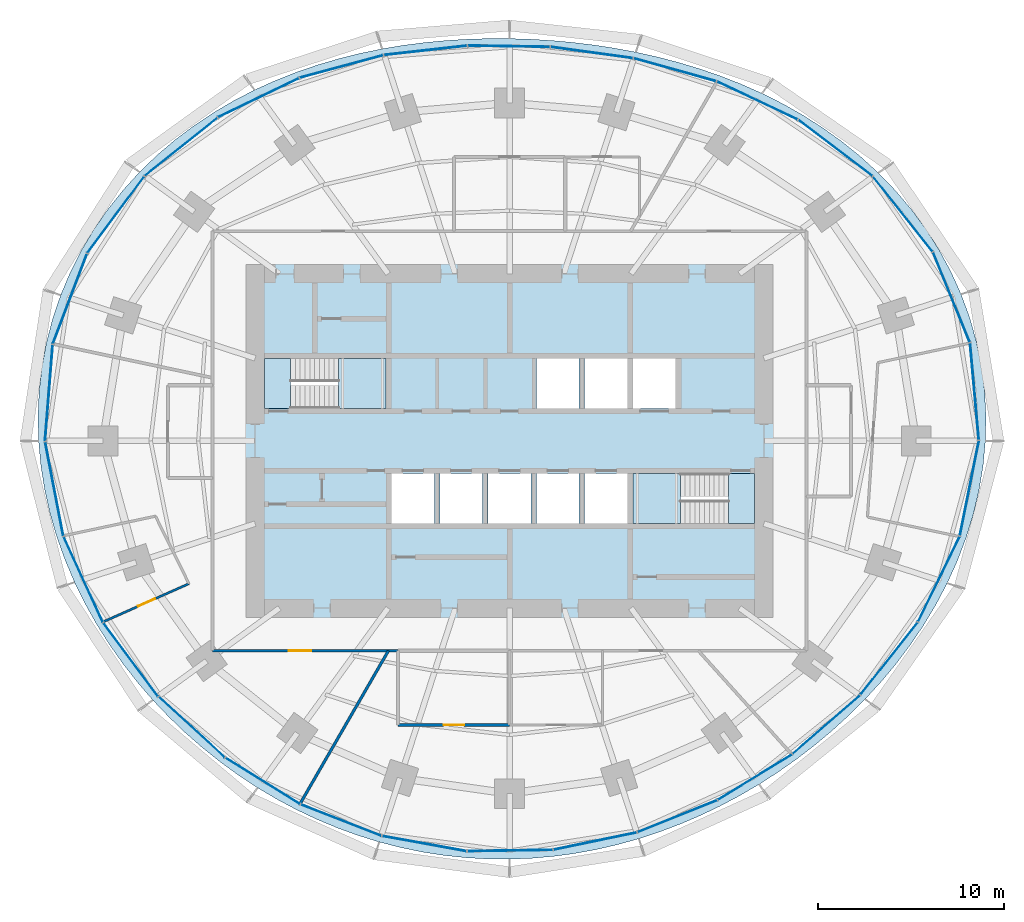
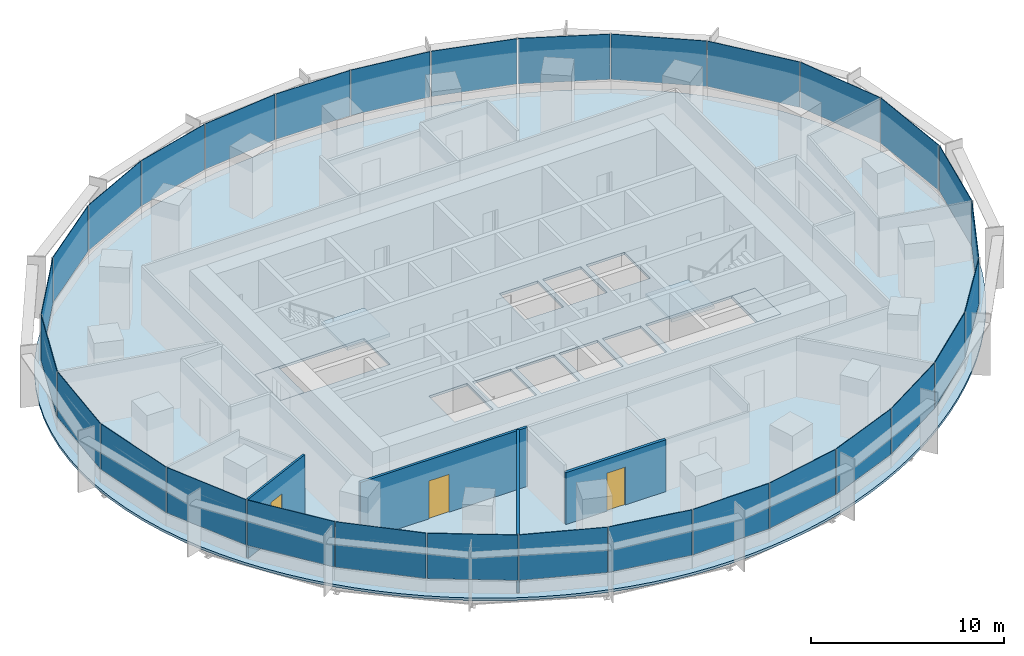
# One storey, part 9 of 14: 30 plates, 5 slabs, 4 walls, 3 doors, 3 openings, 8 elements without a shape of their own.
"""IFC4 building model written with IfcOpenShell, lengths in metres."""

import ifcopenshell
import ifcopenshell.guid

model = None  # the IFC model being written
_history = None  # IfcOwnerHistory: only IFC2X3 demands one
_inside = {}  # id of a spatial element -> (the spatial element, [elements in it])
_under = {}  # id of a project, library or spatial element -> (it, [spatial elements below it])
_declared = {}  # id of a project -> (the project, [libraries it declares])
_typed = {}  # id of a type object -> (the type object, [elements of that type])
_made_of = {}  # id of a material, layer set ... -> (it, [elements and type objects made of it])


def new_model(schema):
    """Start an empty IFC model of exactly this schema.

    Asked for "IFC4X3", IfcOpenShell would pick the latest addendum, in which some entities
    have other attributes; the version numbers below select the first issue.
    IFC2X3 requires an IfcOwnerHistory on every rooted entity: one is made here for all.
    """
    global model, _history
    if schema == "IFC4X3":
        model = ifcopenshell.file(schema_version=(4, 3, 0, 0))
    else:
        model = ifcopenshell.file(schema=schema)
    _inside.clear()
    _under.clear()
    _declared.clear()
    _typed.clear()
    _made_of.clear()
    _history = None
    if model.schema == "IFC2X3":
        org = make("IfcOrganization", Name="unknown")
        user = make(
            "IfcPersonAndOrganization",
            ThePerson=make("IfcPerson", FamilyName="unknown"),
            TheOrganization=org,
        )
        app = make(
            "IfcApplication",
            ApplicationDeveloper=org,
            Version="unknown",
            ApplicationFullName="unknown",
            ApplicationIdentifier="unknown",
        )
        _history = make(
            "IfcOwnerHistory",
            OwningUser=user,
            OwningApplication=app,
            ChangeAction="ADDED",
            CreationDate=0,
        )
    return model


def make(cls, **values):
    """One entity of the class cls with the attributes given. An attribute that is None is left unset."""
    return model.create_entity(
        cls, **{name: value for name, value in values.items() if value is not None}
    )


def rooted(cls, **values):
    """An entity with a GlobalId (a new one), such as an element, a storey or a relation."""
    return make(cls, GlobalId=ifcopenshell.guid.new(), OwnerHistory=_history, **values)


def si_unit(unit_type, name, prefix=None):
    """IfcSIUnit, for example si_unit("LENGTHUNIT", "METRE", prefix="MILLI")."""
    return make("IfcSIUnit", UnitType=unit_type, Prefix=prefix, Name=name)


def assignment(units):
    """IfcUnitAssignment: the units of a project."""
    return None if units is None else make("IfcUnitAssignment", Units=units)


def point(xyz):
    """IfcCartesianPoint."""
    return None if xyz is None else make("IfcCartesianPoint", Coordinates=xyz)


def direction(xyz):
    """IfcDirection."""
    return None if xyz is None else make("IfcDirection", DirectionRatios=xyz)


def frame(location, z_axis=None, x_axis=None):
    """IfcAxis2Placement3D, a coordinate frame: its origin and axes. An axis left out is left unset."""
    return make(
        "IfcAxis2Placement3D",
        Location=point(location),
        Axis=direction(z_axis),
        RefDirection=direction(x_axis),
    )


def frame_2d(location, x_axis=None):
    """IfcAxis2Placement2D, a coordinate frame in the plane: its origin and x axis."""
    return make(
        "IfcAxis2Placement2D", Location=point(location), RefDirection=direction(x_axis)
    )


def origin():
    """The frame at (0, 0, 0) with its axes left unset."""
    return frame((0.0, 0.0, 0.0))


def origin_2d():
    """The frame at (0, 0) in the plane with its x axis left unset."""
    return frame_2d((0.0, 0.0))


def place(relative_to, where):
    """IfcLocalPlacement: puts the frame where relative to a parent placement (None: the world)."""
    return make(
        "IfcLocalPlacement", PlacementRelTo=relative_to, RelativePlacement=where
    )


def context(
    kind, dimensions, precision=None, world=None, true_north=None, identifier=None
):
    """IfcGeometricRepresentationContext, for example the 3D "Model" context."""
    return make(
        "IfcGeometricRepresentationContext",
        ContextIdentifier=identifier,
        ContextType=kind,
        CoordinateSpaceDimension=dimensions,
        Precision=precision,
        WorldCoordinateSystem=world,
        TrueNorth=true_north,
    )


def subcontext(parent, identifier, kind, view, scale=None):
    """IfcGeometricRepresentationSubContext, for example "Body" below "Model"."""
    return make(
        "IfcGeometricRepresentationSubContext",
        ContextIdentifier=identifier,
        ContextType=kind,
        ParentContext=parent,
        TargetScale=scale,
        TargetView=view,
    )


def project(units=None, contexts=None):
    """IfcProject with its units and contexts."""
    return rooted(
        "IfcProject",
        Name="project",
        RepresentationContexts=contexts,
        UnitsInContext=assignment(units),
    )


def spatial(cls, under=None, at=None, **own):
    """A site, building, storey or space (cls), placed at a placement, below another one or the project."""
    s = rooted(cls, ObjectPlacement=at, **own)
    if under is not None:
        _under.setdefault(under.id(), (under, []))[1].append(s)
    return s


def polyline(points):
    """IfcPolyline through the points."""
    return make("IfcPolyline", Points=[point(p) for p in points])


def profile(cls, at=None, kind="AREA", **sizes):
    """A parametric profile (cls). Its sizes go by their IFC names, for example OverallWidth=200.0."""
    return make(cls, ProfileType=kind, Position=at, **sizes)


def rectangle(**sizes):
    """IfcRectangleProfileDef."""
    return profile("IfcRectangleProfileDef", **sizes)


def outline(outer, holes=None, kind="AREA"):
    """IfcArbitraryClosedProfileDef: a profile drawn as a closed curve; with holes, ...WithVoids."""
    if holes is None:
        return make("IfcArbitraryClosedProfileDef", ProfileType=kind, OuterCurve=outer)
    return make(
        "IfcArbitraryProfileDefWithVoids",
        ProfileType=kind,
        OuterCurve=outer,
        InnerCurves=holes,
    )


def extrude(swept, where, along, depth):
    """IfcExtrudedAreaSolid: the profile swept, set in the frame where, extruded along a direction by depth."""
    return make(
        "IfcExtrudedAreaSolid",
        SweptArea=swept,
        Position=where,
        ExtrudedDirection=direction(along),
        Depth=depth,
    )


def shape(context_of_items, identifier, shape_type, items):
    """IfcShapeRepresentation: the items that make up one representation, for example the "Body"."""
    return make(
        "IfcShapeRepresentation",
        ContextOfItems=context_of_items,
        RepresentationIdentifier=identifier,
        RepresentationType=shape_type,
        Items=items,
    )


def material(Name=None, Category=None):
    """IfcMaterial."""
    return make("IfcMaterial", Name=Name, Category=Category)


def layer(
    of_material, thickness, ventilated=None, Name=None, Category=None, Priority=None
):
    """IfcMaterialLayer: one layer of a wall or slab, of a material (None: an air gap)."""
    return make(
        "IfcMaterialLayer",
        Material=of_material,
        LayerThickness=thickness,
        IsVentilated=ventilated,
        Name=Name,
        Category=Category,
        Priority=Priority,
    )


def layer_set(layers, Name=None):
    """IfcMaterialLayerSet."""
    return make("IfcMaterialLayerSet", MaterialLayers=layers, LayerSetName=Name)


def made_of(thing, what):
    """Note that an element or type object is made of a material, layer set ...; save() writes the relation."""
    if what is not None:
        _made_of.setdefault(what.id(), (what, []))[1].append(thing)
    return thing


def type_object(cls, material=None, **own):
    """A type object (cls), such as IfcWallType, which elements share."""
    return made_of(rooted(cls, **own), material)


def element(
    cls,
    number,
    at=None,
    inside=None,
    cuts=None,
    type_object=None,
    material=None,
    context=None,
    identifier="Body",
    shape_type=None,
    held_by="IfcProductDefinitionShape",
    body=None,
    shapes=None,
    **own,
):
    """One element of the class cls, such as IfcWall. Its Tag is "e" and its number.

    at: its placement. inside: the storey or other place that contains it. cuts: it is an
    opening in that element (IfcRelVoidsElement). A single representation is given by context,
    identifier, shape_type and body (its items); several are given by shapes. held_by: the class
    of the entity that holds the representations. save() writes the other relations.
    """
    e = rooted(cls, Tag="e%d" % number, ObjectPlacement=at, **own)
    if body is not None:
        shapes = [shape(context, identifier, shape_type, body)]
    if shapes is not None:
        e.Representation = make(held_by, Representations=shapes)
    if inside is not None:
        _inside.setdefault(inside.id(), (inside, []))[1].append(e)
    if cuts is not None:
        rooted(
            "IfcRelVoidsElement", RelatingBuildingElement=cuts, RelatedOpeningElement=e
        )
    if type_object is not None:
        _typed.setdefault(type_object.id(), (type_object, []))[1].append(e)
    return made_of(e, material)


def fill(opening, filler):
    """IfcRelFillsElement: the door or window that sits in an opening."""
    return rooted(
        "IfcRelFillsElement",
        RelatingOpeningElement=opening,
        RelatedBuildingElement=filler,
    )


def aggregate(whole, parts):
    """IfcRelAggregates: a whole, such as a stair, and the parts it consists of."""
    return rooted("IfcRelAggregates", RelatingObject=whole, RelatedObjects=parts)


def save(model, path):
    """Write the relations noted so far, then the file.

    IfcRelAggregates (storeys below a building ...), IfcRelContainedInSpatialStructure (elements
    in a storey), IfcRelDefinesByType, IfcRelAssociatesMaterial and IfcRelDeclares: one each for
    every whole, place, type object, material and project.
    """
    for whole, parts in _under.values():
        aggregate(whole, parts)
    for where, things in _inside.values():
        rooted(
            "IfcRelContainedInSpatialStructure",
            RelatedElements=things,
            RelatingStructure=where,
        )
    for kind, things in _typed.values():
        rooted("IfcRelDefinesByType", RelatedObjects=things, RelatingType=kind)
    for what, things in _made_of.values():
        rooted("IfcRelAssociatesMaterial", RelatedObjects=things, RelatingMaterial=what)
    for by, libraries in _declared.values():
        rooted("IfcRelDeclares", RelatingContext=by, RelatedDefinitions=libraries)
    model.write(path)


model = new_model("IFC4")

# Units and contexts
model_context = context("Model", 3, precision=1e-05, world=origin(), true_north=direction((0.0, 1.0)))
body_context = subcontext(model_context, "Body", "Model", "MODEL_VIEW")
ifc_project = project(units=[si_unit("LENGTHUNIT", "METRE"), si_unit("AREAUNIT", "SQUARE_METRE"), si_unit("VOLUMEUNIT", "CUBIC_METRE"), si_unit("PLANEANGLEUNIT", "RADIAN"), si_unit("MASSUNIT", "GRAM", prefix="KILO")], contexts=[model_context])

# Site, building, storey
site_placement = place(None, origin())
site = spatial("IfcSite", under=ifc_project, at=site_placement, CompositionType="ELEMENT")
building_placement = place(site_placement, origin())
building = spatial("IfcBuilding", under=site, at=building_placement, Name="Marramba Exchange Tower", CompositionType="ELEMENT")
storey_placement = place(building_placement, frame((0.0, 0.0, 123.60009765625)))
storey = spatial("IfcBuildingStorey", under=building, at=storey_placement, Name="L29", CompositionType="ELEMENT", Elevation=123.60009765625)

# Slab
ifc_material_1 = material(Name="Concrete N40", Category="concrete")
ifc_layer_1 = layer(ifc_material_1, 0.159912109375)
ifc_layer_set_1 = layer_set([ifc_layer_1], Name="Composite floor slab 160")
slab_type_1 = type_object("IfcSlabType", Name="Composite floor slab 160", PredefinedType="FLOOR", material=ifc_layer_set_1)
slab_1_placement = place(storey_placement, frame((0.0, 0.0, -0.16015625)))
element("IfcSlab", 1, at=slab_1_placement, inside=storey, type_object=slab_type_1, Name="Floor slab L29", PredefinedType="FLOOR", context=body_context, shape_type="SweptSolid", body=[
    extrude(outline(polyline([(25.632080078125, 0.0), (25.66064453125, 1.3447265625), (25.59033203125, 2.689697265625), (25.420166015625, 4.026123046875), (25.15087890625, 5.345947265625), (24.7841796875, 6.640869140625), (24.322998046875, 7.903076171875), (23.771484375, 9.125), (23.135009765625, 10.30029296875), (22.419677734375, 11.42333984375), (21.632080078125, 12.4892578125), (20.779541015625, 13.494384765625), (19.869384765625, 14.43603515625), (18.9091796875, 15.3125), (17.90625, 16.122802734375), (16.86767578125, 16.86767578125), (15.800048828125, 17.5478515625), (14.70947265625, 18.164794921875), (13.6015625, 18.720947265625), (12.48095703125, 19.218994140625), (11.3515625, 19.66162109375), (10.217041015625, 20.05224609375), (9.079833984375, 20.393798828125), (7.94189453125, 20.689453125), (6.804443359375, 20.942138671875), (5.668212890625, 21.154296875), (4.533447265625, 21.328369140625), (3.39990234375, 21.46630859375), (2.26708984375, 21.5693359375), (1.134033203125, 21.63818359375), (0.0, 21.673095703125), (-1.135986328125, 21.673828125), (-2.2744140625, 21.6396484375), (-3.416259765625, 21.5693359375), (-4.5615234375, 21.460693359375), (-5.71044921875, 21.31201171875), (-6.8623046875, 21.1201171875), (-8.01611328125, 20.8828125), (-9.170166015625, 20.5966796875), (-10.322509765625, 20.2587890625), (-11.4697265625, 19.8662109375), (-12.60888671875, 19.415771484375), (-13.7353515625, 18.905029296875), (-14.8447265625, 18.331787109375), (-15.931640625, 17.69384765625), (-16.989990234375, 16.989990234375), (-18.013916015625, 16.2197265625), (-18.996826171875, 15.38330078125), (-19.931884765625, 14.4814453125), (-20.8125, 13.515869140625), (-21.632080078125, 12.4892578125), (-22.384033203125, 11.4052734375), (-23.0625, 10.26806640625), (-23.661865234375, 9.0830078125), (-24.177734375, 7.855712890625), (-24.605712890625, 6.593017578125), (-24.943603515625, 5.302001953125), (-25.18896484375, 3.989501953125), (-25.341064453125, 2.663330078125), (-25.400390625, 1.3310546875), (-25.367919921875, 0.0), (-25.246337890625, -1.322998046875), (-25.038818359375, -2.631591796875), (-24.748779296875, -3.919921875), (-24.381103515625, -5.182373046875), (-23.940185546875, -6.414794921875), (-23.431396484375, -7.61328125), (-22.859130859375, -8.77490234375), (-22.22900390625, -9.89697265625), (-21.545166015625, -10.977783203125), (-20.81201171875, -12.015869140625), (-20.033935546875, -13.010009765625), (-19.2138671875, -13.959716796875), (-18.35546875, -14.86376953125), (-17.461181640625, -15.72216796875), (-16.53369140625, -16.53369140625), (-15.5751953125, -17.298095703125), (-14.587646484375, -18.014404296875), (-13.5732421875, -18.681884765625), (-12.533203125, -19.299560546875), (-11.4697265625, -19.8662109375), (-10.384765625, -20.381103515625), (-9.27978515625, -20.8427734375), (-8.157470703125, -21.250732421875), (-7.019287109375, -21.603271484375), (-5.8681640625, -21.900146484375), (-4.7060546875, -22.14013671875), (-3.53564453125, -22.322998046875), (-2.359375, -22.448486328125), (-1.179931640625, -22.516357421875), (0.0, -22.52685546875), (1.17822265625, -22.480712890625), (2.35205078125, -22.3779296875), (3.519287109375, -22.22021484375), (4.677978515625, -22.0078125), (5.825927734375, -21.742431640625), (6.96142578125, -21.425048828125), (8.0830078125, -21.05712890625), (9.189453125, -20.639892578125), (10.279296875, -20.17431640625), (11.3515625, -19.66162109375), (12.4052734375, -19.1025390625), (13.439453125, -18.497802734375), (14.45263671875, -17.847412109375), (15.44384765625, -17.152099609375), (16.411376953125, -16.411376953125), (17.353515625, -15.625244140625), (18.267822265625, -14.79296875), (19.1513671875, -13.914306640625), (20.000732421875, -12.98876953125), (20.81201171875, -12.015869140625), (21.580810546875, -10.995849609375), (22.301513671875, -9.92919921875), (22.96875, -8.81689453125), (23.57666015625, -7.660400390625), (24.11865234375, -6.462646484375), (24.588623046875, -5.2265625), (24.980224609375, -3.95654296875), (25.2880859375, -2.657958984375), (25.5068359375, -1.336669921875), (25.632080078125, 0.0)]), holes=[polyline([(1.449951171875, 1.75), (3.75, 1.75), (3.75, 4.449951171875), (1.449951171875, 4.449951171875), (1.449951171875, 1.75)]), polyline([(4.050048828125, 1.75), (6.35009765625, 1.75), (6.35009765625, 4.449951171875), (4.050048828125, 4.449951171875), (4.050048828125, 1.75)]), polyline([(-6.35009765625, -4.449951171875), (-4.050048828125, -4.449951171875), (-4.050048828125, -1.75), (-6.35009765625, -1.75), (-6.35009765625, -4.449951171875)]), polyline([(-3.75, -4.449951171875), (-1.449951171875, -4.449951171875), (-1.449951171875, -1.75), (-3.75, -1.75), (-3.75, -4.449951171875)]), polyline([(-1.14990234375, -4.449951171875), (1.14990234375, -4.449951171875), (1.14990234375, -1.75), (-1.14990234375, -1.75), (-1.14990234375, -4.449951171875)]), polyline([(1.449951171875, -4.449951171875), (3.75, -4.449951171875), (3.75, -1.75), (1.449951171875, -1.75), (1.449951171875, -4.449951171875)]), polyline([(4.050048828125, -4.449951171875), (6.35009765625, -4.449951171875), (6.35009765625, -1.75), (4.050048828125, -1.75), (4.050048828125, -4.449951171875)]), polyline([(6.64990234375, 1.75), (8.949951171875, 1.75), (8.949951171875, 4.449951171875), (6.64990234375, 4.449951171875), (6.64990234375, 1.75)]), polyline([(-13.199951171875, 1.75), (-6.64990234375, 1.75), (-6.64990234375, 4.449951171875), (-13.199951171875, 4.449951171875), (-13.199951171875, 1.75)]), polyline([(6.64990234375, -4.449951171875), (13.199951171875, -4.449951171875), (13.199951171875, -1.75), (6.64990234375, -1.75), (6.64990234375, -4.449951171875)])]), origin(), (0.0, 0.0, 1.0), 0.16015625),
])

# Curtain wall, plates
ifc_material_2 = material(Name="Aluminium framing, bronze anodised", Category="aluminium")
curtain_wall_type = type_object("IfcCurtainWallType", Name="Office ribbon curtain wall", PredefinedType="USERDEFINED", material=ifc_material_2)
curtain_wall_1_placement = place(storey_placement, origin())
curtain_wall_1 = element("IfcCurtainWall", 2, at=curtain_wall_1_placement, inside=storey, type_object=curtain_wall_type, Name="Curtain wall CW4 L29 F01-F05", ObjectType="RIBBON CURTAIN WALL", PredefinedType="USERDEFINED")
ifc_material_3 = material(Name="Laminated double glazed unit 10.76 + 16 + 10.76, bronze tinted", Category="glass")
ifc_layer_2 = layer(ifc_material_3, 0.03759765625)
ifc_layer_set_2 = layer_set([ifc_layer_2], Name="Office ribbon curtain wall panel")
plate_type = type_object("IfcPlateType", Name="Office ribbon curtain wall panel", PredefinedType="CURTAIN_PANEL", material=ifc_layer_set_2)
plate_1_placement = place(storey_placement, frame((25.042724609375, 2.66650390625, 0.85986328125), z_axis=(0.0, 0.0, 1.0), x_axis=(-0.089412887889, 0.995994646311, 0.0)))
plate_1 = element("IfcPlate", 3, at=plate_1_placement, type_object=plate_type, Name="CW4 vision panel", PredefinedType="CURTAIN_PANEL", context=body_context, shape_type="SweptSolid", body=[
    extrude(rectangle(XDim=5.234375, YDim=0.03759765625, at=origin_2d()), origin(), (0.0, 0.0, 1.0), 2.8798828125),
])
plate_2_placement = place(storey_placement, frame((23.800537109375, 7.743408203125, 0.85986328125), z_axis=(0.0, 0.0, 1.0), x_axis=(-0.377821183171, 0.925878584668, 0.0)))
plate_2 = element("IfcPlate", 4, at=plate_2_placement, type_object=plate_type, Name="CW4 vision panel", PredefinedType="CURTAIN_PANEL", context=body_context, shape_type="SweptSolid", body=[
    extrude(rectangle(XDim=5.2158203125, YDim=0.03759765625, at=origin_2d()), origin(), (0.0, 0.0, 1.0), 2.8798828125),
])
plate_3_placement = place(storey_placement, frame((21.18212890625, 12.217529296875, 0.85986328125), z_axis=(0.0, 0.0, 1.0), x_axis=(-0.621312004611, 0.783563266703, 0.0)))
plate_3 = element("IfcPlate", 5, at=plate_3_placement, type_object=plate_type, Name="CW4 vision panel", PredefinedType="CURTAIN_PANEL", context=body_context, shape_type="SweptSolid", body=[
    extrude(rectangle(XDim=5.136962890625, YDim=0.03759765625, at=origin_2d()), origin(), (0.0, 0.0, 1.0), 2.8798828125),
])
plate_4_placement = place(storey_placement, frame((17.55224609375, 15.777099609375, 0.85986328125), z_axis=(0.0, 0.0, 1.0), x_axis=(-0.795971748366, 0.60533377223, 0.0)))
plate_4 = element("IfcPlate", 6, at=plate_4_placement, type_object=plate_type, Name="CW4 vision panel", PredefinedType="CURTAIN_PANEL", context=body_context, shape_type="SweptSolid", body=[
    extrude(rectangle(XDim=4.990966796875, YDim=0.03759765625, at=origin_2d()), origin(), (0.0, 0.0, 1.0), 2.8798828125),
])
plate_5_placement = place(storey_placement, frame((13.34423828125, 18.3359375, 0.85986328125), z_axis=(0.0, 0.0, 1.0), x_axis=(-0.904403137485, 0.426678995157, 0.0)))
plate_5 = element("IfcPlate", 7, at=plate_5_placement, type_object=plate_type, Name="CW4 vision panel", PredefinedType="CURTAIN_PANEL", context=body_context, shape_type="SweptSolid", body=[
    extrude(rectangle(XDim=4.793212890625, YDim=0.03759765625, at=origin_2d()), origin(), (0.0, 0.0, 1.0), 2.8798828125),
])
aggregate(curtain_wall_1, [plate_1, plate_2, plate_3, plate_4, plate_5])

curtain_wall_2_placement = place(storey_placement, origin())
curtain_wall_2 = element("IfcCurtainWall", 8, at=curtain_wall_2_placement, inside=storey, type_object=curtain_wall_type, Name="Curtain wall CW4 L29 F06-F10", ObjectType="RIBBON CURTAIN WALL", PredefinedType="USERDEFINED")
plate_6_placement = place(storey_placement, frame((8.907470703125, 19.991943359375, 0.85986328125), z_axis=(0.0, 0.0, 1.0), x_axis=(-0.963177845956, 0.268865090816, 0.0)))
plate_6 = element("IfcPlate", 9, at=plate_6_placement, type_object=plate_type, Name="CW4 vision panel", PredefinedType="CURTAIN_PANEL", context=body_context, shape_type="SweptSolid", body=[
    extrude(rectangle(XDim=4.591552734375, YDim=0.03759765625, at=origin_2d()), origin(), (0.0, 0.0, 1.0), 2.8798828125),
])
plate_7_placement = place(storey_placement, frame((4.43359375, 20.919189453125, 0.85986328125), z_axis=(0.0, 0.0, 1.0), x_axis=(-0.990738212841, 0.135785837319, 0.0)))
plate_7 = element("IfcPlate", 10, at=plate_7_placement, type_object=plate_type, Name="CW4 vision panel", PredefinedType="CURTAIN_PANEL", context=body_context, shape_type="SweptSolid", body=[
    extrude(rectangle(XDim=4.447509765625, YDim=0.03759765625, at=origin_2d()), origin(), (0.0, 0.0, 1.0), 2.8798828125),
])
plate_8_placement = place(storey_placement, frame((-0.03369140625, 21.2568359375, 0.85986328125), z_axis=(0.0, 0.0, 1.0), x_axis=(-0.999875869968, 0.01575578169, 0.0)))
plate_8 = element("IfcPlate", 11, at=plate_8_placement, type_object=plate_type, Name="CW4 vision panel", PredefinedType="CURTAIN_PANEL", context=body_context, shape_type="SweptSolid", body=[
    extrude(rectangle(XDim=4.408935546875, YDim=0.03759765625, at=origin_2d()), origin(), (0.0, 0.0, 1.0), 2.8798828125),
])
plate_9_placement = place(storey_placement, frame((-4.52587890625, 21.0361328125, 0.85986328125), z_axis=(0.0, 0.0, 1.0), x_axis=(-0.993823395532, -0.110973233233, 0.0)))
plate_9 = element("IfcPlate", 12, at=plate_9_placement, type_object=plate_type, Name="CW4 vision panel", PredefinedType="CURTAIN_PANEL", context=body_context, shape_type="SweptSolid", body=[
    extrude(rectangle(XDim=4.484375, YDim=0.03759765625, at=origin_2d()), origin(), (0.0, 0.0, 1.0), 2.8798828125),
])
plate_10_placement = place(storey_placement, frame((-9.053466796875, 20.16748046875, 0.85986328125), z_axis=(0.0, 0.0, 1.0), x_axis=(-0.965522047176, -0.260321294588, 0.0)))
plate_10 = element("IfcPlate", 13, at=plate_10_placement, type_object=plate_type, Name="CW4 vision panel", PredefinedType="CURTAIN_PANEL", context=body_context, shape_type="SweptSolid", body=[
    extrude(rectangle(XDim=4.642578125, YDim=0.03759765625, at=origin_2d()), origin(), (0.0, 0.0, 1.0), 2.8798828125),
])
aggregate(curtain_wall_2, [plate_6, plate_7, plate_8, plate_9, plate_10])

curtain_wall_3_placement = place(storey_placement, origin())
curtain_wall_3 = element("IfcCurtainWall", 14, at=curtain_wall_3_placement, inside=storey, type_object=curtain_wall_type, Name="Curtain wall CW4 L29 F11-F15", ObjectType="RIBBON CURTAIN WALL", PredefinedType="USERDEFINED")
plate_11_placement = place(storey_placement, frame((-13.52294921875, 18.4853515625, 0.85986328125), z_axis=(0.0, 0.0, 1.0), x_axis=(-0.900223739881, -0.435427626771, 0.0)))
plate_11 = element("IfcPlate", 15, at=plate_11_placement, type_object=plate_type, Name="CW4 vision panel", PredefinedType="CURTAIN_PANEL", context=body_context, shape_type="SweptSolid", body=[
    extrude(rectangle(XDim=4.83056640625, YDim=0.03759765625, at=origin_2d()), origin(), (0.0, 0.0, 1.0), 2.8798828125),
])
plate_12_placement = place(storey_placement, frame((-17.696533203125, 15.8359375, 0.85986328125), z_axis=(0.0, 0.0, 1.0), x_axis=(-0.78117833008, -0.624307950145, 0.0)))
plate_12 = element("IfcPlate", 16, at=plate_12_placement, type_object=plate_type, Name="CW4 vision panel", PredefinedType="CURTAIN_PANEL", context=body_context, shape_type="SweptSolid", body=[
    extrude(rectangle(XDim=4.998291015625, YDim=0.03759765625, at=origin_2d()), origin(), (0.0, 0.0, 1.0), 2.8798828125),
])
plate_13_placement = place(storey_placement, frame((-21.213623046875, 12.1767578125, 0.85986328125), z_axis=(0.0, 0.0, 1.0), x_axis=(-0.597703997504, -0.80171686484, 0.0)))
plate_13 = element("IfcPlate", 17, at=plate_13_placement, type_object=plate_type, Name="CW4 vision panel", PredefinedType="CURTAIN_PANEL", context=body_context, shape_type="SweptSolid", body=[
    extrude(rectangle(XDim=5.116455078125, YDim=0.03759765625, at=origin_2d()), origin(), (0.0, 0.0, 1.0), 2.8798828125),
])
plate_14_placement = place(storey_placement, frame((-23.6826171875, 7.6494140625, 0.85986328125), z_axis=(0.0, 0.0, 1.0), x_axis=(-0.354844468484, -0.934925346317, 0.0)))
plate_14 = element("IfcPlate", 18, at=plate_14_placement, type_object=plate_type, Name="CW4 vision panel", PredefinedType="CURTAIN_PANEL", context=body_context, shape_type="SweptSolid", body=[
    extrude(rectangle(XDim=5.177490234375, YDim=0.03759765625, at=origin_2d()), origin(), (0.0, 0.0, 1.0), 2.8798828125),
])
plate_15_placement = place(storey_placement, frame((-24.81201171875, 2.584716796875, 0.85986328125), z_axis=(0.0, 0.0, 1.0), x_axis=(-0.079459696383, -0.996838079455, 0.0)))
plate_15 = element("IfcPlate", 19, at=plate_15_placement, type_object=plate_type, Name="CW4 vision panel", PredefinedType="CURTAIN_PANEL", context=body_context, shape_type="SweptSolid", body=[
    extrude(rectangle(XDim=5.185791015625, YDim=0.03759765625, at=origin_2d()), origin(), (0.0, 0.0, 1.0), 2.8798828125),
])
aggregate(curtain_wall_3, [plate_11, plate_12, plate_13, plate_14, plate_15])

curtain_wall_4_placement = place(storey_placement, origin())
curtain_wall_4 = element("IfcCurtainWall", 20, at=curtain_wall_4_placement, inside=storey, type_object=curtain_wall_type, Name="Curtain wall CW4 L29 F16-F20", ObjectType="RIBBON CURTAIN WALL", PredefinedType="USERDEFINED")
plate_16_placement = place(storey_placement, frame((-24.522705078125, -2.584228515625, 0.85986328125), z_axis=(0.0, 0.0, 1.0), x_axis=(0.18822721487, -0.982125509078, 0.0)))
plate_16 = element("IfcPlate", 21, at=plate_16_placement, type_object=plate_type, Name="CW4 vision panel", PredefinedType="CURTAIN_PANEL", context=body_context, shape_type="SweptSolid", body=[
    extrude(rectangle(XDim=5.142578125, YDim=0.03759765625, at=origin_2d()), origin(), (0.0, 0.0, 1.0), 2.8798828125),
])
plate_17_placement = place(storey_placement, frame((-22.96142578125, -7.45947265625, 0.85986328125), z_axis=(0.0, 0.0, 1.0), x_axis=(0.416737848929, -0.909026713177, 0.0)))
plate_17 = element("IfcPlate", 22, at=plate_17_placement, type_object=plate_type, Name="CW4 vision panel", PredefinedType="CURTAIN_PANEL", context=body_context, shape_type="SweptSolid", body=[
    extrude(rectangle(XDim=5.0498046875, YDim=0.03759765625, at=origin_2d()), origin(), (0.0, 0.0, 1.0), 2.8798828125),
])
plate_18_placement = place(storey_placement, frame((-20.402099609375, -11.7783203125, 0.85986328125), z_axis=(0.0, 0.0, 1.0), x_axis=(0.597304697033, -0.802014400683, 0.0)))
plate_18 = element("IfcPlate", 23, at=plate_18_placement, type_object=plate_type, Name="CW4 vision panel", PredefinedType="CURTAIN_PANEL", context=body_context, shape_type="SweptSolid", body=[
    extrude(rectangle(XDim=4.926513671875, YDim=0.03759765625, at=origin_2d()), origin(), (0.0, 0.0, 1.0), 2.8798828125),
])
plate_19_placement = place(storey_placement, frame((-17.11376953125, -15.416259765625, 0.85986328125), z_axis=(0.0, 0.0, 1.0), x_axis=(0.737821886077, -0.674995455115, 0.0)))
plate_19 = element("IfcPlate", 24, at=plate_19_placement, type_object=plate_type, Name="CW4 vision panel", PredefinedType="CURTAIN_PANEL", context=body_context, shape_type="SweptSolid", body=[
    extrude(rectangle(XDim=4.80517578125, YDim=0.03759765625, at=origin_2d()), origin(), (0.0, 0.0, 1.0), 2.8798828125),
])
plate_20_placement = place(storey_placement, frame((-13.29248046875, -18.31640625, 0.85986328125), z_axis=(0.0, 0.0, 1.0), x_axis=(0.84835459748, -0.52942844364, 0.0)))
plate_20 = element("IfcPlate", 25, at=plate_20_placement, type_object=plate_type, Name="CW4 vision panel", PredefinedType="CURTAIN_PANEL", context=body_context, shape_type="SweptSolid", body=[
    extrude(rectangle(XDim=4.70947265625, YDim=0.03759765625, at=origin_2d()), origin(), (0.0, 0.0, 1.0), 2.8798828125),
])
aggregate(curtain_wall_4, [plate_16, plate_17, plate_18, plate_19, plate_20])

curtain_wall_5_placement = place(storey_placement, origin())
curtain_wall_5 = element("IfcCurtainWall", 26, at=curtain_wall_5_placement, inside=storey, type_object=curtain_wall_type, Name="Curtain wall CW4 L29 F21-F25", ObjectType="RIBBON CURTAIN WALL", PredefinedType="USERDEFINED")
plate_21_placement = place(storey_placement, frame((-9.074951171875, -20.427734375, 0.85986328125), z_axis=(0.0, 0.0, 1.0), x_axis=(0.931818390344, -0.36292490603, 0.0)))
plate_21 = element("IfcPlate", 27, at=plate_21_placement, type_object=plate_type, Name="CW4 vision panel", PredefinedType="CURTAIN_PANEL", context=body_context, shape_type="SweptSolid", body=[
    extrude(rectangle(XDim=4.644287109375, YDim=0.03759765625, at=origin_2d()), origin(), (0.0, 0.0, 1.0), 2.8798828125),
])
plate_22_placement = place(storey_placement, frame((-4.58740234375, -21.690673828125, 0.85986328125), z_axis=(0.0, 0.0, 1.0), x_axis=(0.984031865834, -0.177992379115, 0.0)))
plate_22 = element("IfcPlate", 28, at=plate_22_placement, type_object=plate_type, Name="CW4 vision panel", PredefinedType="CURTAIN_PANEL", context=body_context, shape_type="SweptSolid", body=[
    extrude(rectangle(XDim=4.602783203125, YDim=0.03759765625, at=origin_2d()), origin(), (0.0, 0.0, 1.0), 2.8798828125),
])
plate_23_placement = place(storey_placement, frame((0.0263671875, -22.064697265625, 0.85986328125), z_axis=(0.0, 0.0, 1.0), x_axis=(0.999884797709, 0.015178646521, 0.0)))
plate_23 = element("IfcPlate", 29, at=plate_23_placement, type_object=plate_type, Name="CW4 vision panel", PredefinedType="CURTAIN_PANEL", context=body_context, shape_type="SweptSolid", body=[
    extrude(rectangle(XDim=4.578857421875, YDim=0.03759765625, at=origin_2d()), origin(), (0.0, 0.0, 1.0), 2.8798828125),
])
plate_24_placement = place(storey_placement, frame((4.61376953125, -21.554931640625, 0.85986328125), z_axis=(0.0, 0.0, 1.0), x_axis=(0.979310199794, 0.202364850159, 0.0)))
plate_24 = element("IfcPlate", 30, at=plate_24_placement, type_object=plate_type, Name="CW4 vision panel", PredefinedType="CURTAIN_PANEL", context=body_context, shape_type="SweptSolid", body=[
    extrude(rectangle(XDim=4.57373046875, YDim=0.03759765625, at=origin_2d()), origin(), (0.0, 0.0, 1.0), 2.8798828125),
])
plate_25_placement = place(storey_placement, frame((9.042724609375, -20.214111328125, 0.85986328125), z_axis=(0.0, 0.0, 1.0), x_axis=(0.928148916059, 0.372209067082, 0.0)))
plate_25 = element("IfcPlate", 31, at=plate_25_placement, type_object=plate_type, Name="CW4 vision panel", PredefinedType="CURTAIN_PANEL", context=body_context, shape_type="SweptSolid", body=[
    extrude(rectangle(XDim=4.59814453125, YDim=0.03759765625, at=origin_2d()), origin(), (0.0, 0.0, 1.0), 2.8798828125),
])
aggregate(curtain_wall_5, [plate_21, plate_22, plate_23, plate_24, plate_25])

curtain_wall_6_placement = place(storey_placement, origin())
curtain_wall_6 = element("IfcCurtainWall", 32, at=curtain_wall_6_placement, inside=storey, type_object=curtain_wall_type, Name="Curtain wall CW4 L29 F26-F30", ObjectType="RIBBON CURTAIN WALL", PredefinedType="USERDEFINED")
plate_26_placement = place(storey_placement, frame((13.21875, -18.109619140625, 0.85986328125), z_axis=(0.0, 0.0, 1.0), x_axis=(0.853109114492, 0.521732535664, 0.0)))
plate_26 = element("IfcPlate", 33, at=plate_26_placement, type_object=plate_type, Name="CW4 vision panel", PredefinedType="CURTAIN_PANEL", context=body_context, shape_type="SweptSolid", body=[
    extrude(rectangle(XDim=4.66748046875, YDim=0.03759765625, at=origin_2d()), origin(), (0.0, 0.0, 1.0), 2.8798828125),
])
plate_27_placement = place(storey_placement, frame((17.0615234375, -15.280517578125, 0.85986328125), z_axis=(0.0, 0.0, 1.0), x_axis=(0.754385506384, 0.656431647438, 0.0)))
plate_27 = element("IfcPlate", 34, at=plate_27_placement, type_object=plate_type, Name="CW4 vision panel", PredefinedType="CURTAIN_PANEL", context=body_context, shape_type="SweptSolid", body=[
    extrude(rectangle(XDim=4.789794921875, YDim=0.03759765625, at=origin_2d()), origin(), (0.0, 0.0, 1.0), 2.8798828125),
])
plate_28_placement = place(storey_placement, frame((20.443603515625, -11.724365234375, 0.85986328125), z_axis=(0.0, 0.0, 1.0), x_axis=(0.621807472329, 0.783170139469, 0.0)))
plate_28 = element("IfcPlate", 35, at=plate_28_placement, type_object=plate_type, Name="CW4 vision panel", PredefinedType="CURTAIN_PANEL", context=body_context, shape_type="SweptSolid", body=[
    extrude(rectangle(XDim=4.947265625, YDim=0.03759765625, at=origin_2d()), origin(), (0.0, 0.0, 1.0), 2.8798828125),
])
plate_29_placement = place(storey_placement, frame((23.127197265625, -7.443359375, 0.85986328125), z_axis=(0.0, 0.0, 1.0), x_axis=(0.439086342308, 0.89844486976, 0.0)))
plate_29 = element("IfcPlate", 36, at=plate_29_placement, type_object=plate_type, Name="CW4 vision panel", PredefinedType="CURTAIN_PANEL", context=body_context, shape_type="SweptSolid", body=[
    extrude(rectangle(XDim=5.096923828125, YDim=0.03759765625, at=origin_2d()), origin(), (0.0, 0.0, 1.0), 2.8798828125),
])
plate_30_placement = place(storey_placement, frame((24.77001953125, -2.54736328125, 0.85986328125), z_axis=(0.0, 0.0, 1.0), x_axis=(0.197048511267, 0.980393739376, 0.0)))
plate_30 = element("IfcPlate", 37, at=plate_30_placement, type_object=plate_type, Name="CW4 vision panel", PredefinedType="CURTAIN_PANEL", context=body_context, shape_type="SweptSolid", body=[
    extrude(rectangle(XDim=5.19677734375, YDim=0.03759765625, at=origin_2d()), origin(), (0.0, 0.0, 1.0), 2.8798828125),
])
aggregate(curtain_wall_6, [plate_26, plate_27, plate_28, plate_29, plate_30])

# Stair, slabs
ifc_material_4 = material(Name="Concrete N40 (40 MPa)", Category="concrete")
stair_type_1 = type_object("IfcStairType", Name="Exit stair ST1 3900 x 1250", PredefinedType="HALF_TURN_STAIR", material=ifc_material_4)
stair_1_placement = place(storey_placement, origin())
stair_1 = element("IfcStair", 38, at=stair_1_placement, inside=storey, type_object=stair_type_1, Name="Exit stair ST1 L29", PredefinedType="HALF_TURN_STAIR")
ifc_layer_3 = layer(ifc_material_4, 0.199951171875)
ifc_layer_set_3 = layer_set([ifc_layer_3], Name="Stair landing 200")
slab_type_2 = type_object("IfcSlabType", Name="Stair landing 200", PredefinedType="LANDING", material=ifc_layer_set_3)
slab_2_placement = place(storey_placement, frame((0.0, 0.0, -0.2001953125)))
slab_2 = element("IfcSlab", 39, at=slab_2_placement, type_object=slab_type_2, Name="ST1 landing 1", PredefinedType="LANDING", context=body_context, shape_type="SweptSolid", body=[
    extrude(outline(polyline([(-13.199951171875, 1.75), (-11.800048828125, 1.75), (-11.800048828125, 4.449951171875), (-13.199951171875, 4.449951171875), (-13.199951171875, 1.75)])), origin(), (0.0, 0.0, 1.0), 0.2001953125),
])
slab_3_placement = place(storey_placement, frame((0.0, 0.0, 1.75)))
slab_3 = element("IfcSlab", 40, at=slab_3_placement, type_object=slab_type_2, Name="ST1 landing 2", PredefinedType="LANDING", context=body_context, shape_type="SweptSolid", body=[
    extrude(outline(polyline([(-9.199951171875, 1.75), (-6.64990234375, 1.75), (-6.64990234375, 4.449951171875), (-9.199951171875, 4.449951171875), (-9.199951171875, 1.75)])), origin(), (0.0, 0.0, 1.0), 0.199951171875),
])
aggregate(stair_1, [slab_2, slab_3])

stair_type_2 = type_object("IfcStairType", Name="Exit stair ST2 3900 x 1250", PredefinedType="HALF_TURN_STAIR", material=ifc_material_4)
stair_2_placement = place(storey_placement, origin())
stair_2 = element("IfcStair", 41, at=stair_2_placement, inside=storey, type_object=stair_type_2, Name="Exit stair ST2 L29", PredefinedType="HALF_TURN_STAIR")
slab_4_placement = place(storey_placement, frame((0.0, 0.0, -0.2001953125)))
slab_4 = element("IfcSlab", 42, at=slab_4_placement, type_object=slab_type_2, Name="ST2 landing 1", PredefinedType="LANDING", context=body_context, shape_type="SweptSolid", body=[
    extrude(outline(polyline([(11.800048828125, -4.449951171875), (13.199951171875, -4.449951171875), (13.199951171875, -1.75), (11.800048828125, -1.75), (11.800048828125, -4.449951171875)])), origin(), (0.0, 0.0, 1.0), 0.2001953125),
])
slab_5_placement = place(storey_placement, frame((0.0, 0.0, 1.75)))
slab_5 = element("IfcSlab", 43, at=slab_5_placement, type_object=slab_type_2, Name="ST2 landing 2", PredefinedType="LANDING", context=body_context, shape_type="SweptSolid", body=[
    extrude(outline(polyline([(6.64990234375, -4.449951171875), (9.199951171875, -4.449951171875), (9.199951171875, -1.75), (6.64990234375, -1.75), (6.64990234375, -4.449951171875)])), origin(), (0.0, 0.0, 1.0), 0.199951171875),
])
aggregate(stair_2, [slab_4, slab_5])

# Wall, opening, door
ifc_material_5 = material(Name="Plasterboard on staggered double steel studs, acoustic insulation", Category="steel")
ifc_layer_4 = layer(ifc_material_5, 0.169921875)
ifc_layer_set_4 = layer_set([ifc_layer_4], Name="Acoustic partition 170")
wall_type_1 = type_object("IfcWallType", Name="Acoustic partition 170", PredefinedType="PARTITIONING", material=ifc_layer_set_4)
wall_1_placement = place(storey_placement, frame((-6.0, -15.300048828125, 0.0), z_axis=(0.0, 0.0, 1.0), x_axis=(1.0, 0.0, 0.0)))
wall_1 = element("IfcWall", 44, at=wall_1_placement, inside=storey, type_object=wall_type_1, Name="Acoustic partition L29 10", PredefinedType="PARTITIONING", context=body_context, shape_type="SweptSolid", body=[
    extrude(rectangle(XDim=6.0, YDim=0.169921875, at=frame_2d((3.0, 0.0))), origin(), (0.0, 0.0, 1.0), 3.285888671875),
])
opening_1_placement = place(wall_1_placement, frame((2.449951171875, 0.0, 0.0)))
opening_1 = element("IfcOpeningElement", 45, at=opening_1_placement, cuts=wall_1, Name="Opening D15", PredefinedType="OPENING", context=body_context, shape_type="SweptSolid", body=[
    extrude(rectangle(XDim=1.10009765625, YDim=2.39990234375, at=frame_2d((0.550048828125, 1.199951171875))), frame((0.0, 0.094970703125, 0.0), z_axis=(0.0, -1.0, 0.0), x_axis=(1.0, 0.0, 0.0)), (0.0, 0.0, 1.0), 0.18994140625),
])
ifc_material_6 = material(Name="Timber door", Category="wood")
door_type_1 = type_object("IfcDoorType", Name="Glazed meeting room door 1100x2400", OperationType="SINGLE_SWING_LEFT", PredefinedType="DOOR", material=ifc_material_6)
door_1_placement = place(opening_1_placement, origin())
door_1 = element("IfcDoor", 46, at=door_1_placement, inside=storey, type_object=door_type_1, Name="D15 Meeting Room 4 L29", OperationType="SINGLE_SWING_RIGHT", OverallHeight=2.39990234375, OverallWidth=1.10009765625, PredefinedType="DOOR", context=body_context, shape_type="SweptSolid", body=[
    extrude(rectangle(XDim=1.10009765625, YDim=2.39990234375, at=frame_2d((0.550048828125, 1.199951171875))), frame((0.0, 0.02490234375, 0.0), z_axis=(0.0, -1.0, 0.0), x_axis=(1.0, 0.0, 0.0)), (0.0, 0.0, 1.0), 0.050048828125),
])
fill(opening_1, door_1)

ifc_material_7 = material(Name="Plasterboard on steel studs", Category="steel")
ifc_layer_5 = layer(ifc_material_7, 0.1201171875)
ifc_layer_set_5 = layer_set([ifc_layer_5], Name="Partition 120")
wall_type_2 = type_object("IfcWallType", Name="Partition 120", PredefinedType="PARTITIONING", material=ifc_layer_set_5)
wall_2_placement = place(storey_placement, frame((-21.836181640625, -9.72216796875, 0.0), z_axis=(0.0, 0.0, 1.0), x_axis=(0.913549606868, 0.406727323635, 0.0)))
wall_2 = element("IfcWall", 47, at=wall_2_placement, inside=storey, type_object=wall_type_2, Name="Partition L29 05", PredefinedType="PARTITIONING", context=body_context, shape_type="SweptSolid", body=[
    extrude(rectangle(XDim=5.000244140625, YDim=0.1201171875, at=frame_2d((2.5, 0.0))), origin(), (0.0, 0.0, 1.0), 3.739990234375),
])
opening_2_placement = place(wall_2_placement, frame((2.0, 0.0, 0.0)))
opening_2 = element("IfcOpeningElement", 48, at=opening_2_placement, cuts=wall_2, Name="Opening D9", PredefinedType="OPENING", context=body_context, shape_type="SweptSolid", body=[
    extrude(rectangle(XDim=1.0, YDim=2.39990234375, at=frame_2d((0.5, 1.199951171875))), frame((0.0, 0.070068359375, 0.0), z_axis=(0.0, -1.0, 0.0), x_axis=(1.0, 0.0, 0.0)), (0.0, 0.0, 1.0), 0.14013671875),
])
door_type_2 = type_object("IfcDoorType", Name="Room door 1000x2400", OperationType="SINGLE_SWING_LEFT", PredefinedType="DOOR", material=ifc_material_6)
door_2_placement = place(opening_2_placement, origin())
door_2 = element("IfcDoor", 49, at=door_2_placement, inside=storey, type_object=door_type_2, Name="D9 Office 2 L29", OperationType="SINGLE_SWING_RIGHT", OverallHeight=2.39990234375, OverallWidth=1.0, PredefinedType="DOOR", context=body_context, shape_type="SweptSolid", body=[
    extrude(rectangle(XDim=1.0, YDim=2.39990234375, at=frame_2d((0.5, 1.199951171875))), frame((0.0, 0.02490234375, 0.0), z_axis=(0.0, -1.0, 0.0), x_axis=(1.0, 0.0, 0.0)), (0.0, 0.0, 1.0), 0.050048828125),
])
fill(opening_2, door_2)

ifc_material_8 = material(Name="Fire-rated plasterboard on steel studs, acoustic insulation", Category="steel")
ifc_layer_6 = layer(ifc_material_8, 0.14990234375)
ifc_layer_set_6 = layer_set([ifc_layer_6], Name="Tenancy wall 150")
wall_type_3 = type_object("IfcWallType", Name="Tenancy wall 150", PredefinedType="PARTITIONING", material=ifc_layer_set_6)
wall_3_placement = place(storey_placement, frame((-16.0, -11.300048828125, 0.0), z_axis=(0.0, 0.0, 1.0), x_axis=(1.0, 0.0, 0.0)))
wall_3 = element("IfcWall", 50, at=wall_3_placement, inside=storey, type_object=wall_type_3, Name="Tenancy wall L29 06", PredefinedType="PARTITIONING", context=body_context, shape_type="SweptSolid", body=[
    extrude(rectangle(XDim=10.0, YDim=0.14990234375, at=frame_2d((5.0, 0.0))), origin(), (0.0, 0.0, 1.0), 3.739990234375),
])
opening_3_placement = place(wall_3_placement, frame((4.113037109375, 0.0, 0.0)))
opening_3 = element("IfcOpeningElement", 51, at=opening_3_placement, cuts=wall_3, Name="Opening D13", PredefinedType="OPENING", context=body_context, shape_type="SweptSolid", body=[
    extrude(rectangle(XDim=1.199951171875, YDim=2.39990234375, at=frame_2d((0.60009765625, 1.199951171875))), frame((0.0, 0.0849609375, 0.0), z_axis=(0.0, -1.0, 0.0), x_axis=(1.0, 0.0, 0.0)), (0.0, 0.0, 1.0), 0.169921875),
])
ifc_material_9 = material(Name="Steel-framed door", Category="steel")
door_type_3 = type_object("IfcDoorType", Name="Tenancy entry door 1200x2400", OperationType="SINGLE_SWING_LEFT", PredefinedType="DOOR", material=ifc_material_9)
door_3_placement = place(opening_3_placement, origin())
door_3 = element("IfcDoor", 52, at=door_3_placement, inside=storey, type_object=door_type_3, Name="D13 Office 3 L29", OperationType="SINGLE_SWING_LEFT", OverallHeight=2.39990234375, OverallWidth=1.199951171875, PredefinedType="DOOR", context=body_context, shape_type="SweptSolid", body=[
    extrude(rectangle(XDim=1.199951171875, YDim=2.39990234375, at=frame_2d((0.60009765625, 1.199951171875))), frame((0.0, 0.02490234375, 0.0), z_axis=(0.0, -1.0, 0.0), x_axis=(1.0, 0.0, 0.0)), (0.0, 0.0, 1.0), 0.050048828125),
])
fill(opening_3, door_3)

# Wall
wall_4_placement = place(storey_placement, frame((-6.524169921875, -11.300048828125, 0.0), z_axis=(0.0, 0.0, 1.0), x_axis=(-0.499999424553, -0.866025736019, 0.0)))
element("IfcWall", 53, at=wall_4_placement, inside=storey, type_object=wall_type_3, Name="Tenancy wall L29 07", PredefinedType="PARTITIONING", context=body_context, shape_type="SweptSolid", body=[
    extrude(rectangle(XDim=9.46142578125, YDim=0.14990234375, at=frame_2d((4.730712890625, 0.0))), origin(), (0.0, 0.0, 1.0), 3.739990234375),
])

save(model, "model.ifc")
